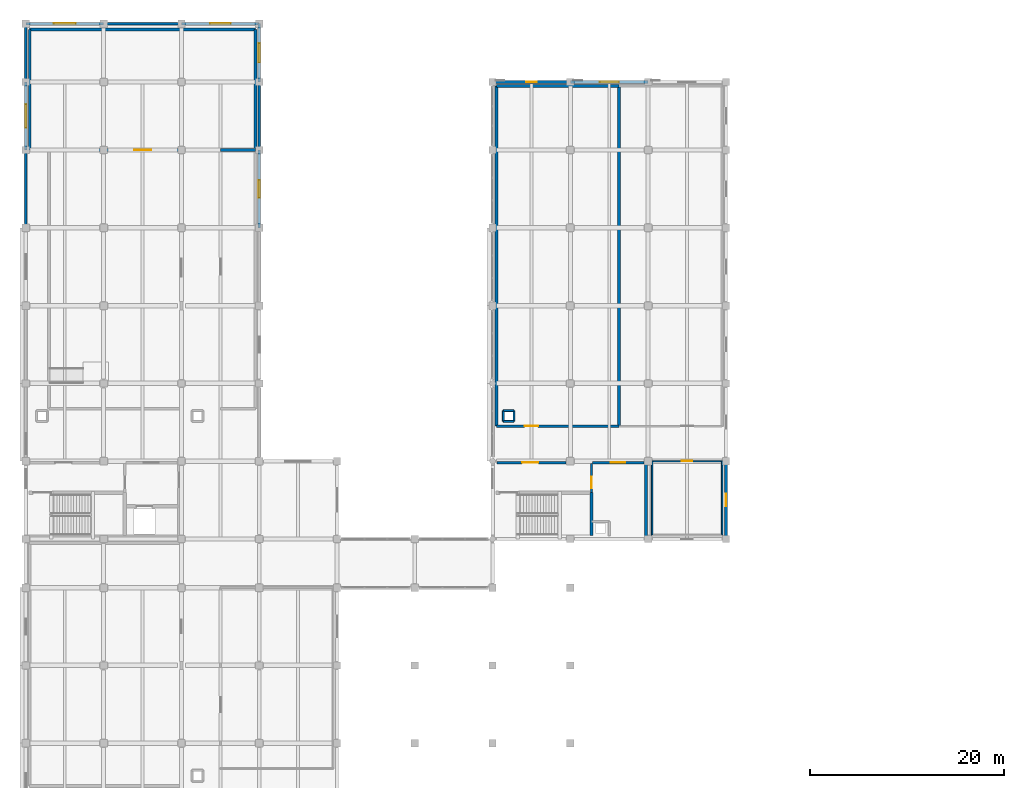
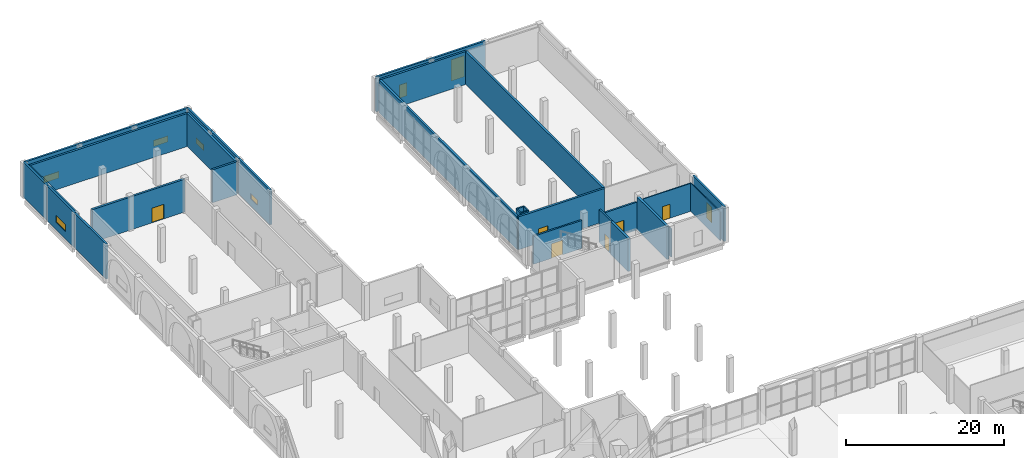
# One storey, part 22 of 40: 33 walls, 8 windows, 6 doors, 14 openings.
"""IFC4 building model written with IfcOpenShell, lengths in metres."""

from ifc_helpers import new_model, si_unit, direction, frame, frame_2d, origin, place, context, subcontext, project, spatial, rectangle, extrude, material, layer, layer_set, type_object, element, fill, save


model = new_model("IFC4")

# Units and contexts
model_context = context("Model", 3, precision=1e-05, world=origin(), true_north=direction((0.0, 1.0)))
body_context = subcontext(model_context, "Body", "Model", "MODEL_VIEW")
ifc_project = project(units=[si_unit("LENGTHUNIT", "METRE"), si_unit("AREAUNIT", "SQUARE_METRE"), si_unit("VOLUMEUNIT", "CUBIC_METRE"), si_unit("PLANEANGLEUNIT", "RADIAN"), si_unit("MASSUNIT", "GRAM", prefix="KILO")], contexts=[model_context])

# Site, building, storey
site_placement = place(None, origin())
site = spatial("IfcSite", under=ifc_project, at=site_placement, CompositionType="ELEMENT")
building_placement = place(site_placement, origin())
building = spatial("IfcBuilding", under=site, at=building_placement, Name="Qorikala Patio Media Centre", CompositionType="ELEMENT")
storey_placement = place(building_placement, origin())
storey = spatial("IfcBuildingStorey", under=building, at=storey_placement, Name="L00", CompositionType="ELEMENT", Elevation=0.0)

# Wall, opening, door
ifc_material_1 = material(Name="Concrete C35/45", Category="concrete")
ifc_layer_1 = layer(ifc_material_1, 0.300048828125)
ifc_layer_set_1 = layer_set([ifc_layer_1], Name="Concrete C35/45")
wall_type_1 = type_object("IfcWallType", Name="WL-AC-300", PredefinedType="SHEAR", material=ifc_layer_set_1)
wall_1_placement = place(storey_placement, frame((5.39990234375, 104.0, 0.0), z_axis=(0.0, 0.0, 1.0), x_axis=(1.0, 0.0, 0.0)))
wall_1 = element("IfcWall", 1, at=wall_1_placement, inside=storey, type_object=wall_type_1, Name="L00 Interior Wall WINT-L00-BST1-N", PredefinedType="SHEAR", context=body_context, shape_type="SweptSolid", body=[
    extrude(rectangle(XDim=13.60009765625, YDim=0.300048828125, at=frame_2d((6.800048828125, 0.0))), origin(), (0.0, 0.0, 1.0), 5.10009765625),
])
opening_1_placement = place(wall_1_placement, frame((8.72509765625, 0.0, 0.0)))
opening_1 = element("IfcOpeningElement", 2, at=opening_1_placement, cuts=wall_1, Name="Opening D244", PredefinedType="OPENING", context=body_context, shape_type="SweptSolid", body=[
    extrude(rectangle(XDim=1.75, YDim=2.280029296875, at=frame_2d((0.875, 1.14013671875))), frame((0.0, 0.159912109375, 0.0), z_axis=(0.0, -1.0, 0.0), x_axis=(1.0, 0.0, 0.0)), (0.0, 0.0, 1.0), 0.320068359375),
])
ifc_material_2 = material(Name="Powder-Coated Acoustic Fire Steel", Category="steel")
door_type_1 = type_object("IfcDoorType", Name="DR-FD60-175X228", OperationType="DOUBLE_DOOR_SINGLE_SWING", PredefinedType="DOOR", material=ifc_material_2)
door_1_placement = place(opening_1_placement, origin())
door_1 = element("IfcDoor", 3, at=door_1_placement, inside=storey, type_object=door_type_1, Name="Broadcast Scene Dock Door 033", OperationType="DOUBLE_DOOR_SINGLE_SWING", OverallHeight=2.280029296875, OverallWidth=1.75, PredefinedType="DOOR", context=body_context, shape_type="SweptSolid", body=[
    extrude(rectangle(XDim=1.75, YDim=2.280029296875, at=frame_2d((0.875, 1.14013671875))), frame((0.0, 0.02490234375, 0.0), z_axis=(0.0, -1.0, 0.0), x_axis=(1.0, 0.0, 0.0)), (0.0, 0.0, 1.0), 0.050048828125),
])
fill(opening_1, door_1)

# Walls
wall_2_placement = place(storey_placement, frame((26.60009765625, 104.0, 0.0), z_axis=(0.0, 0.0, 1.0), x_axis=(0.0, 1.0, 0.0)))
element("IfcWall", 4, at=wall_2_placement, inside=storey, type_object=wall_type_1, Name="L00 Interior Wall WINT-L00-SDCK-E", PredefinedType="SHEAR", context=body_context, shape_type="SweptSolid", body=[
    extrude(rectangle(XDim=12.39990234375, YDim=0.300048828125, at=frame_2d((6.199951171875, 0.0))), origin(), (0.0, 0.0, 1.0), 5.10009765625),
])
wall_3_placement = place(storey_placement, frame((3.39990234375, 116.39990234375, 0.0), z_axis=(0.0, 0.0, 1.0), x_axis=(1.0, 0.0, 0.0)))
element("IfcWall", 5, at=wall_3_placement, inside=storey, type_object=wall_type_1, Name="L00 Interior Wall WINT-L00-SDCK-N", PredefinedType="SHEAR", context=body_context, shape_type="SweptSolid", body=[
    extrude(rectangle(XDim=23.2001953125, YDim=0.300048828125, at=frame_2d((11.60009765625, 0.0))), origin(), (0.0, 0.0, 1.0), 5.10009765625),
])
wall_4_placement = place(storey_placement, frame((3.39990234375, 104.0, 0.0), z_axis=(0.0, 0.0, 1.0), x_axis=(0.0, 1.0, 0.0)))
element("IfcWall", 6, at=wall_4_placement, inside=storey, type_object=wall_type_1, Name="L00 Interior Wall WINT-L00-SDCK-W", PredefinedType="SHEAR", context=body_context, shape_type="SweptSolid", body=[
    extrude(rectangle(XDim=12.39990234375, YDim=0.300048828125, at=frame_2d((6.199951171875, 0.0))), origin(), (0.0, 0.0, 1.0), 5.10009765625),
])
wall_5_placement = place(storey_placement, frame((23.0, 104.0, 0.0), z_axis=(0.0, 0.0, 1.0), x_axis=(1.0, 0.0, 0.0)))
element("IfcWall", 7, at=wall_5_placement, inside=storey, type_object=wall_type_1, Name="L00 Interior Wall WINT-L00-MCR1-N", PredefinedType="SHEAR", context=body_context, shape_type="SweptSolid", body=[
    extrude(rectangle(XDim=3.60009765625, YDim=0.300048828125, at=frame_2d((1.800048828125, 0.0))), origin(), (0.0, 0.0, 1.0), 5.10009765625),
])

# Wall, opening, door
wall_6_placement = place(storey_placement, frame((51.39990234375, 75.60009765625, 0.0), z_axis=(0.0, 0.0, 1.0), x_axis=(1.0, 0.0, 0.0)))
wall_6 = element("IfcWall", 8, at=wall_6_placement, inside=storey, type_object=wall_type_1, Name="L00 Interior Wall WINT-L00-REC1-S", PredefinedType="SHEAR", context=body_context, shape_type="SweptSolid", body=[
    extrude(rectangle(XDim=12.60009765625, YDim=0.300048828125, at=frame_2d((6.300048828125, 0.0))), origin(), (0.0, 0.0, 1.0), 5.10009765625),
])
opening_2_placement = place(wall_6_placement, frame((2.885986328125, 0.0, 0.0)))
opening_2 = element("IfcOpeningElement", 9, at=opening_2_placement, cuts=wall_6, Name="Opening D247", PredefinedType="OPENING", context=body_context, shape_type="SweptSolid", body=[
    extrude(rectangle(XDim=1.39990234375, YDim=2.219970703125, at=frame_2d((0.699951171875, 1.10986328125))), frame((0.0, 0.159912109375, 0.0), z_axis=(0.0, -1.0, 0.0), x_axis=(1.0, 0.0, 0.0)), (0.0, 0.0, 1.0), 0.320068359375),
])
door_type_2 = type_object("IfcDoorType", Name="DR-FD60-140X222", OperationType="DOUBLE_DOOR_SINGLE_SWING", PredefinedType="DOOR", material=ifc_material_2)
door_2_placement = place(opening_2_placement, origin())
door_2 = element("IfcDoor", 10, at=door_2_placement, inside=storey, type_object=door_type_2, Name="Voiceover and Ensemble Recording Studio 1 Door 036", OperationType="DOUBLE_DOOR_SINGLE_SWING", OverallHeight=2.219970703125, OverallWidth=1.39990234375, PredefinedType="DOOR", context=body_context, shape_type="SweptSolid", body=[
    extrude(rectangle(XDim=1.39990234375, YDim=2.219970703125, at=frame_2d((0.699951171875, 1.10986328125))), frame((0.0, 0.02490234375, 0.0), z_axis=(0.0, -1.0, 0.0), x_axis=(1.0, 0.0, 0.0)), (0.0, 0.0, 1.0), 0.050048828125),
])
fill(opening_2, door_2)

# Walls
wall_7_placement = place(storey_placement, frame((64.0, 75.60009765625, 0.0), z_axis=(0.0, 0.0, 1.0), x_axis=(0.0, 1.0, 0.0)))
element("IfcWall", 11, at=wall_7_placement, inside=storey, type_object=wall_type_1, Name="L00 Interior Wall WINT-L00-REC1-E", PredefinedType="SHEAR", context=body_context, shape_type="SweptSolid", body=[
    extrude(rectangle(XDim=35.0, YDim=0.300048828125, at=frame_2d((17.5, 0.0))), origin(), (0.0, 0.0, 1.0), 5.10009765625),
])
wall_8_placement = place(storey_placement, frame((51.39990234375, 110.60009765625, 0.0), z_axis=(0.0, 0.0, 1.0), x_axis=(1.0, 0.0, 0.0)))
element("IfcWall", 12, at=wall_8_placement, inside=storey, type_object=wall_type_1, Name="L00 Interior Wall WINT-L00-REC1-N", PredefinedType="SHEAR", context=body_context, shape_type="SweptSolid", body=[
    extrude(rectangle(XDim=12.60009765625, YDim=0.300048828125, at=frame_2d((6.300048828125, 0.0))), origin(), (0.0, 0.0, 1.0), 5.10009765625),
])
wall_9_placement = place(storey_placement, frame((51.39990234375, 75.60009765625, 0.0), z_axis=(0.0, 0.0, 1.0), x_axis=(0.0, 1.0, 0.0)))
element("IfcWall", 13, at=wall_9_placement, inside=storey, type_object=wall_type_1, Name="L00 Interior Wall WINT-L00-REC1-W", PredefinedType="SHEAR", context=body_context, shape_type="SweptSolid", body=[
    extrude(rectangle(XDim=35.0, YDim=0.300048828125, at=frame_2d((17.5, 0.0))), origin(), (0.0, 0.0, 1.0), 5.10009765625),
])
ifc_layer_2 = layer(ifc_material_1, 0.35009765625)
ifc_layer_set_2 = layer_set([ifc_layer_2], Name="Concrete C35/45")
wall_type_2 = type_object("IfcWallType", Name="WL-CORE-350", PredefinedType="SHEAR", material=ifc_layer_set_2)
wall_10_placement = place(storey_placement, frame((61.175048828125, 64.35009765625, 0.0), z_axis=(0.0, 0.0, 1.0), x_axis=(0.0, 1.0, 0.0)))
element("IfcWall", 14, at=wall_10_placement, inside=storey, type_object=wall_type_2, Name="L00 Interior Wall CW-L00-C6-SE", PredefinedType="SHEAR", context=body_context, shape_type="SweptSolid", body=[
    extrude(rectangle(XDim=4.4248046875, YDim=0.35009765625, at=frame_2d((2.21240234375, 0.0))), origin(), (0.0, 0.0, 1.0), 5.10009765625),
])
wall_11_placement = place(storey_placement, frame((66.77490234375, 64.199951171875, 0.0), z_axis=(0.0, 0.0, 1.0), x_axis=(0.0, 1.0, 0.0)))
element("IfcWall", 15, at=wall_11_placement, inside=storey, type_object=wall_type_2, Name="L00 Interior Wall CW-L00-C6-EE", PredefinedType="SHEAR", context=body_context, shape_type="SweptSolid", body=[
    extrude(rectangle(XDim=7.60009765625, YDim=0.35009765625, at=frame_2d((3.800048828125, 0.0))), origin(), (0.0, 0.0, 1.0), 5.10009765625),
])

# Wall, opening, door
ifc_layer_3 = layer(ifc_material_1, 0.25)
ifc_layer_set_3 = layer_set([ifc_layer_3], Name="Concrete C35/45")
wall_type_3 = type_object("IfcWallType", Name="WL-FFL-250", PredefinedType="PARTITIONING", material=ifc_layer_set_3)
wall_12_placement = place(storey_placement, frame((61.175048828125, 68.77490234375, 0.0), z_axis=(0.0, 0.0, 1.0), x_axis=(0.0, 1.0, 0.0)))
wall_12 = element("IfcWall", 16, at=wall_12_placement, inside=storey, type_object=wall_type_3, Name="L00 Interior Wall CW-L00-C6-LBD", PredefinedType="PARTITIONING", context=body_context, shape_type="SweptSolid", body=[
    extrude(rectangle(XDim=2.97509765625, YDim=0.25, at=frame_2d((1.487548828125, 0.0))), origin(), (0.0, 0.0, 1.0), 5.10009765625),
])
opening_3_placement = place(wall_12_placement, frame((0.449951171875, 0.0, 0.0)))
opening_3 = element("IfcOpeningElement", 17, at=opening_3_placement, cuts=wall_12, Name="Opening D181", PredefinedType="OPENING", context=body_context, shape_type="SweptSolid", body=[
    extrude(rectangle(XDim=1.199951171875, YDim=2.199951171875, at=frame_2d((0.60009765625, 1.10009765625))), frame((0.0, 0.135009765625, 0.0), z_axis=(0.0, -1.0, 0.0), x_axis=(1.0, 0.0, 0.0)), (0.0, 0.0, 1.0), 0.27001953125),
])
ifc_material_3 = material(Name="Acoustic Fire Timber and Steel", Category="steel")
door_type_3 = type_object("IfcDoorType", Name="DR-FD60-120X220", OperationType="NOTDEFINED", PredefinedType="DOOR", material=ifc_material_3)
door_3_placement = place(opening_3_placement, origin())
door_3 = element("IfcDoor", 18, at=door_3_placement, inside=storey, type_object=door_type_3, Name="L00 Core C6 Firefighting Lobby Cross Door", OperationType="SINGLE_SWING_RIGHT", OverallHeight=2.199951171875, OverallWidth=1.199951171875, PredefinedType="DOOR", context=body_context, shape_type="SweptSolid", body=[
    extrude(rectangle(XDim=1.199951171875, YDim=2.199951171875, at=frame_2d((0.60009765625, 1.10009765625))), frame((0.0, 0.02490234375, 0.0), z_axis=(0.0, -1.0, 0.0), x_axis=(1.0, 0.0, 0.0)), (0.0, 0.0, 1.0), 0.050048828125),
])
fill(opening_3, door_3)

wall_13_placement = place(storey_placement, frame((51.449951171875, 71.85009765625, 0.0), z_axis=(0.0, 0.0, 1.0), x_axis=(1.0, 0.0, 0.0)))
wall_13 = element("IfcWall", 19, at=wall_13_placement, inside=storey, type_object=wall_type_3, Name="L00 Interior Wall CW-L00-C6-CN1", PredefinedType="PARTITIONING", context=body_context, shape_type="SweptSolid", body=[
    extrude(rectangle(XDim=7.10009765625, YDim=0.25, at=frame_2d((3.550048828125, 0.0))), origin(), (0.0, 0.0, 1.0), 4.3349609375),
])
opening_4_placement = place(wall_13_placement, frame((2.60009765625, 0.0, 0.0)))
opening_4 = element("IfcOpeningElement", 20, at=opening_4_placement, cuts=wall_13, Name="Opening D182", PredefinedType="OPENING", context=body_context, shape_type="SweptSolid", body=[
    extrude(rectangle(XDim=1.64990234375, YDim=2.25, at=frame_2d((0.824951171875, 1.125))), frame((0.0, 0.135009765625, 0.0), z_axis=(0.0, -1.0, 0.0), x_axis=(1.0, 0.0, 0.0)), (0.0, 0.0, 1.0), 0.27001953125),
])
door_type_4 = type_object("IfcDoorType", Name="DR-FD60-165X225", OperationType="DOUBLE_DOOR_SINGLE_SWING", PredefinedType="DOOR", material=ifc_material_2)
door_4_placement = place(opening_4_placement, frame((1.64990234375, 0.0, 0.0), z_axis=(0.0, 0.0, 1.0), x_axis=(-1.0, 0.0, 0.0)))
door_4 = element("IfcDoor", 21, at=door_4_placement, inside=storey, type_object=door_type_4, Name="L00 Core C6 Vestibule Door", OperationType="DOUBLE_DOOR_SINGLE_SWING", OverallHeight=2.25, OverallWidth=1.64990234375, PredefinedType="DOOR", context=body_context, shape_type="SweptSolid", body=[
    extrude(rectangle(XDim=1.64990234375, YDim=2.25, at=frame_2d((0.824951171875, 1.125))), frame((0.0, 0.02490234375, 0.0), z_axis=(0.0, -1.0, 0.0), x_axis=(1.0, 0.0, 0.0)), (0.0, 0.0, 1.0), 0.050048828125),
])
fill(opening_4, door_4)

wall_14_placement = place(storey_placement, frame((61.300048828125, 71.85009765625, 0.0), z_axis=(0.0, 0.0, 1.0), x_axis=(1.0, 0.0, 0.0)))
wall_14 = element("IfcWall", 22, at=wall_14_placement, inside=storey, type_object=wall_type_3, Name="L00 Interior Wall CW-L00-C6-CN2", PredefinedType="PARTITIONING", context=body_context, shape_type="SweptSolid", body=[
    extrude(rectangle(XDim=5.25, YDim=0.25, at=frame_2d((2.625, 0.0))), origin(), (0.0, 0.0, 1.0), 4.3349609375),
])
opening_5_placement = place(wall_14_placement, frame((1.85009765625, 0.0, 0.0)))
opening_5 = element("IfcOpeningElement", 23, at=opening_5_placement, cuts=wall_14, Name="Opening D183", PredefinedType="OPENING", context=body_context, shape_type="SweptSolid", body=[
    extrude(rectangle(XDim=1.5, YDim=2.199951171875, at=frame_2d((0.75, 1.10009765625))), frame((0.0, 0.135009765625, 0.0), z_axis=(0.0, -1.0, 0.0), x_axis=(1.0, 0.0, 0.0)), (0.0, 0.0, 1.0), 0.27001953125),
])
door_type_5 = type_object("IfcDoorType", Name="DR-FD60-150X220", OperationType="DOUBLE_DOOR_SINGLE_SWING", PredefinedType="DOOR", material=ifc_material_2)
door_5_placement = place(opening_5_placement, origin())
door_5 = element("IfcDoor", 24, at=door_5_placement, inside=storey, type_object=door_type_5, Name="L00 Core C6 Firefighting Lobby Door", OperationType="DOUBLE_DOOR_SINGLE_SWING", OverallHeight=2.199951171875, OverallWidth=1.5, PredefinedType="DOOR", context=body_context, shape_type="SweptSolid", body=[
    extrude(rectangle(XDim=1.5, YDim=2.199951171875, at=frame_2d((0.75, 1.10009765625))), frame((0.0, 0.02490234375, 0.0), z_axis=(0.0, -1.0, 0.0), x_axis=(1.0, 0.0, 0.0)), (0.0, 0.0, 1.0), 0.050048828125),
])
fill(opening_5, door_5)

# Wall
ifc_material_4 = material(Name="Warm Ochre Lime Stucco and Concrete C35/45", Category="concrete")
ifc_layer_4 = layer(ifc_material_4, 0.280029296875)
ifc_layer_set_4 = layer_set([ifc_layer_4], Name="Warm Ochre Lime Stucco and Concrete C35/45")
wall_type_4 = type_object("IfcWallType", Name="WL-OCHRE-280", PredefinedType="SOLIDWALL", material=ifc_layer_set_4)
wall_15_placement = place(storey_placement, frame((3.0, 96.0, 0.0), z_axis=(0.0, 0.0, 1.0), x_axis=(0.0, 1.0, 0.0)))
element("IfcWall", 25, at=wall_15_placement, inside=storey, type_object=wall_type_4, Name="L00 Exterior Wall WL-L00-EXT-0058", PredefinedType="SOLIDWALL", context=body_context, shape_type="SweptSolid", body=[
    extrude(rectangle(XDim=8.0, YDim=0.280029296875, at=frame_2d((4.0, 0.0))), origin(), (0.0, 0.0, 1.0), 5.39990234375),
])

# Wall, opening, window
wall_16_placement = place(storey_placement, frame((3.0, 104.0, 0.0), z_axis=(0.0, 0.0, 1.0), x_axis=(0.0, 1.0, 0.0)))
wall_16 = element("IfcWall", 26, at=wall_16_placement, inside=storey, type_object=wall_type_4, Name="L00 Exterior Wall WL-L00-EXT-0059", PredefinedType="SOLIDWALL", context=body_context, shape_type="SweptSolid", body=[
    extrude(rectangle(XDim=7.0, YDim=0.280029296875, at=frame_2d((3.5, 0.0))), origin(), (0.0, 0.0, 1.0), 5.39990234375),
])
opening_6_placement = place(wall_16_placement, frame((2.300048828125, 0.0, 1.10009765625)))
opening_6 = element("IfcOpeningElement", 27, at=opening_6_placement, cuts=wall_16, Name="Opening WL-240", PredefinedType="OPENING", context=body_context, shape_type="SweptSolid", body=[
    extrude(rectangle(XDim=2.39990234375, YDim=1.10009765625, at=frame_2d((1.199951171875, 0.550048828125))), frame((0.0, 0.14990234375, 0.0), z_axis=(0.0, -1.0, 0.0), x_axis=(1.0, 0.0, 0.0)), (0.0, 0.0, 1.0), 0.300048828125),
])
ifc_material_5 = material(Name="Acoustic Laminated Low-E Glass", Category="glass")
window_type_1 = type_object("IfcWindowType", Name="WN-CL-240X110", PartitioningType="SINGLE_PANEL", PredefinedType="WINDOW", material=ifc_material_5)
window_1_placement = place(opening_6_placement, origin())
window_1 = element("IfcWindow", 28, at=window_1_placement, inside=storey, type_object=window_type_1, Name="L00 High Acoustic Clerestory Window 0044", OverallHeight=1.10009765625, OverallWidth=2.39990234375, PartitioningType="SINGLE_PANEL", PredefinedType="WINDOW", context=body_context, shape_type="SweptSolid", body=[
    extrude(rectangle(XDim=2.39990234375, YDim=1.10009765625, at=frame_2d((1.199951171875, 0.550048828125))), frame((0.0, 0.030029296875, 0.0), z_axis=(0.0, -1.0, 0.0), x_axis=(1.0, 0.0, 0.0)), (0.0, 0.0, 1.0), 0.06005859375),
])
fill(opening_6, window_1)

# Wall
wall_17_placement = place(storey_placement, frame((3.0, 111.0, 0.0), z_axis=(0.0, 0.0, 1.0), x_axis=(0.0, 1.0, 0.0)))
element("IfcWall", 29, at=wall_17_placement, inside=storey, type_object=wall_type_4, Name="L00 Exterior Wall WL-L00-EXT-0060", PredefinedType="SOLIDWALL", context=body_context, shape_type="SweptSolid", body=[
    extrude(rectangle(XDim=6.0, YDim=0.280029296875, at=frame_2d((3.0, 0.0))), origin(), (0.0, 0.0, 1.0), 5.39990234375),
])

# Wall, opening, window
wall_18_placement = place(storey_placement, frame((3.0, 117.0, 0.0), z_axis=(0.0, 0.0, 1.0), x_axis=(1.0, 0.0, 0.0)))
wall_18 = element("IfcWall", 30, at=wall_18_placement, inside=storey, type_object=wall_type_4, Name="L00 Exterior Wall WL-L00-EXT-0061", PredefinedType="SOLIDWALL", context=body_context, shape_type="SweptSolid", body=[
    extrude(rectangle(XDim=8.0, YDim=0.280029296875, at=frame_2d((4.0, 0.0))), origin(), (0.0, 0.0, 1.0), 5.39990234375),
])
opening_7_placement = place(wall_18_placement, frame((2.875, 0.0, 1.10009765625)))
opening_7 = element("IfcOpeningElement", 31, at=opening_7_placement, cuts=wall_18, Name="Opening WL-225", PredefinedType="OPENING", context=body_context, shape_type="SweptSolid", body=[
    extrude(rectangle(XDim=2.25, YDim=1.02001953125, at=frame_2d((1.125, 0.510009765625))), frame((0.0, 0.14990234375, 0.0), z_axis=(0.0, -1.0, 0.0), x_axis=(1.0, 0.0, 0.0)), (0.0, 0.0, 1.0), 0.300048828125),
])
window_type_2 = type_object("IfcWindowType", Name="WN-CL-225X102", PartitioningType="SINGLE_PANEL", PredefinedType="WINDOW", material=ifc_material_5)
window_2_placement = place(opening_7_placement, origin())
window_2 = element("IfcWindow", 32, at=window_2_placement, inside=storey, type_object=window_type_2, Name="L00 High Acoustic Clerestory Window 0045", OverallHeight=1.02001953125, OverallWidth=2.25, PartitioningType="SINGLE_PANEL", PredefinedType="WINDOW", context=body_context, shape_type="SweptSolid", body=[
    extrude(rectangle(XDim=2.25, YDim=1.02001953125, at=frame_2d((1.125, 0.510009765625))), frame((0.0, 0.030029296875, 0.0), z_axis=(0.0, -1.0, 0.0), x_axis=(1.0, 0.0, 0.0)), (0.0, 0.0, 1.0), 0.06005859375),
])
fill(opening_7, window_2)

# Wall
wall_19_placement = place(storey_placement, frame((11.0, 117.0, 0.0), z_axis=(0.0, 0.0, 1.0), x_axis=(1.0, 0.0, 0.0)))
element("IfcWall", 33, at=wall_19_placement, inside=storey, type_object=wall_type_4, Name="L00 Exterior Wall WL-L00-EXT-0062", PredefinedType="SOLIDWALL", context=body_context, shape_type="SweptSolid", body=[
    extrude(rectangle(XDim=8.0, YDim=0.280029296875, at=frame_2d((4.0, 0.0))), origin(), (0.0, 0.0, 1.0), 5.39990234375),
])

# Wall, opening, window
wall_20_placement = place(storey_placement, frame((19.0, 117.0, 0.0), z_axis=(0.0, 0.0, 1.0), x_axis=(1.0, 0.0, 0.0)))
wall_20 = element("IfcWall", 34, at=wall_20_placement, inside=storey, type_object=wall_type_4, Name="L00 Exterior Wall WL-L00-EXT-0063", PredefinedType="SOLIDWALL", context=body_context, shape_type="SweptSolid", body=[
    extrude(rectangle(XDim=8.0, YDim=0.280029296875, at=frame_2d((4.0, 0.0))), origin(), (0.0, 0.0, 1.0), 5.39990234375),
])
opening_8_placement = place(wall_20_placement, frame((2.949951171875, 0.0, 1.10009765625)))
opening_8 = element("IfcOpeningElement", 35, at=opening_8_placement, cuts=wall_20, Name="Opening WL-210", PredefinedType="OPENING", context=body_context, shape_type="SweptSolid", body=[
    extrude(rectangle(XDim=2.10009765625, YDim=0.949951171875, at=frame_2d((1.050048828125, 0.47509765625))), frame((0.0, 0.14990234375, 0.0), z_axis=(0.0, -1.0, 0.0), x_axis=(1.0, 0.0, 0.0)), (0.0, 0.0, 1.0), 0.300048828125),
])
window_type_3 = type_object("IfcWindowType", Name="WN-CL-210X095", PartitioningType="SINGLE_PANEL", PredefinedType="WINDOW", material=ifc_material_5)
window_3_placement = place(opening_8_placement, origin())
window_3 = element("IfcWindow", 36, at=window_3_placement, inside=storey, type_object=window_type_3, Name="L00 High Acoustic Clerestory Window 0046", OverallHeight=0.949951171875, OverallWidth=2.10009765625, PartitioningType="SINGLE_PANEL", PredefinedType="WINDOW", context=body_context, shape_type="SweptSolid", body=[
    extrude(rectangle(XDim=2.10009765625, YDim=0.949951171875, at=frame_2d((1.050048828125, 0.47509765625))), frame((0.0, 0.030029296875, 0.0), z_axis=(0.0, -1.0, 0.0), x_axis=(1.0, 0.0, 0.0)), (0.0, 0.0, 1.0), 0.06005859375),
])
fill(opening_8, window_3)

wall_21_placement = place(storey_placement, frame((27.0, 117.0, 0.0), z_axis=(0.0, 0.0, 1.0), x_axis=(0.0, -1.0, 0.0)))
wall_21 = element("IfcWall", 37, at=wall_21_placement, inside=storey, type_object=wall_type_4, Name="L00 Exterior Wall WL-L00-EXT-0064", PredefinedType="SOLIDWALL", context=body_context, shape_type="SweptSolid", body=[
    extrude(rectangle(XDim=6.0, YDim=0.280029296875, at=frame_2d((3.0, 0.0))), origin(), (0.0, 0.0, 1.0), 5.39990234375),
])
opening_9_placement = place(wall_21_placement, frame((2.02490234375, 0.0, 1.10009765625)))
opening_9 = element("IfcOpeningElement", 38, at=opening_9_placement, cuts=wall_21, Name="Opening WL-195", PredefinedType="OPENING", context=body_context, shape_type="SweptSolid", body=[
    extrude(rectangle(XDim=1.949951171875, YDim=0.89990234375, at=frame_2d((0.97509765625, 0.449951171875))), frame((0.0, 0.14990234375, 0.0), z_axis=(0.0, -1.0, 0.0), x_axis=(1.0, 0.0, 0.0)), (0.0, 0.0, 1.0), 0.300048828125),
])
window_type_4 = type_object("IfcWindowType", Name="WN-CL-195X090", PartitioningType="SINGLE_PANEL", PredefinedType="WINDOW", material=ifc_material_5)
window_4_placement = place(opening_9_placement, origin())
window_4 = element("IfcWindow", 39, at=window_4_placement, inside=storey, type_object=window_type_4, Name="L00 High Acoustic Clerestory Window 0047", OverallHeight=0.89990234375, OverallWidth=1.949951171875, PartitioningType="SINGLE_PANEL", PredefinedType="WINDOW", context=body_context, shape_type="SweptSolid", body=[
    extrude(rectangle(XDim=1.949951171875, YDim=0.89990234375, at=frame_2d((0.97509765625, 0.449951171875))), frame((0.0, 0.030029296875, 0.0), z_axis=(0.0, -1.0, 0.0), x_axis=(1.0, 0.0, 0.0)), (0.0, 0.0, 1.0), 0.06005859375),
])
fill(opening_9, window_4)

# Wall
wall_22_placement = place(storey_placement, frame((27.0, 111.0, 0.0), z_axis=(0.0, 0.0, 1.0), x_axis=(0.0, -1.0, 0.0)))
element("IfcWall", 40, at=wall_22_placement, inside=storey, type_object=wall_type_4, Name="L00 Exterior Wall WL-L00-EXT-0065", PredefinedType="SOLIDWALL", context=body_context, shape_type="SweptSolid", body=[
    extrude(rectangle(XDim=7.0, YDim=0.280029296875, at=frame_2d((3.5, 0.0))), origin(), (0.0, 0.0, 1.0), 5.39990234375),
])

# Wall, opening, window
wall_23_placement = place(storey_placement, frame((27.0, 104.0, 0.0), z_axis=(0.0, 0.0, 1.0), x_axis=(0.0, -1.0, 0.0)))
wall_23 = element("IfcWall", 41, at=wall_23_placement, inside=storey, type_object=wall_type_4, Name="L00 Exterior Wall WL-L00-EXT-0066", PredefinedType="SOLIDWALL", context=body_context, shape_type="SweptSolid", body=[
    extrude(rectangle(XDim=8.0, YDim=0.280029296875, at=frame_2d((4.0, 0.0))), origin(), (0.0, 0.0, 1.0), 5.39990234375),
])
opening_10_placement = place(wall_23_placement, frame((3.10009765625, 0.0, 1.10009765625)))
opening_10 = element("IfcOpeningElement", 42, at=opening_10_placement, cuts=wall_23, Name="Opening WL-180", PredefinedType="OPENING", context=body_context, shape_type="SweptSolid", body=[
    extrude(rectangle(XDim=1.800048828125, YDim=0.85009765625, at=frame_2d((0.89990234375, 0.425048828125))), frame((0.0, 0.14990234375, 0.0), z_axis=(0.0, -1.0, 0.0), x_axis=(1.0, 0.0, 0.0)), (0.0, 0.0, 1.0), 0.300048828125),
])
window_type_5 = type_object("IfcWindowType", Name="WN-CL-180X085", PartitioningType="SINGLE_PANEL", PredefinedType="WINDOW", material=ifc_material_5)
window_5_placement = place(opening_10_placement, origin())
window_5 = element("IfcWindow", 43, at=window_5_placement, inside=storey, type_object=window_type_5, Name="L00 High Acoustic Clerestory Window 0048", OverallHeight=0.85009765625, OverallWidth=1.800048828125, PartitioningType="SINGLE_PANEL", PredefinedType="WINDOW", context=body_context, shape_type="SweptSolid", body=[
    extrude(rectangle(XDim=1.800048828125, YDim=0.85009765625, at=frame_2d((0.89990234375, 0.425048828125))), frame((0.0, 0.030029296875, 0.0), z_axis=(0.0, -1.0, 0.0), x_axis=(1.0, 0.0, 0.0)), (0.0, 0.0, 1.0), 0.06005859375),
])
fill(opening_10, window_5)

wall_24_placement = place(storey_placement, frame((75.0, 72.0, 0.0), z_axis=(0.0, 0.0, 1.0), x_axis=(0.0, -1.0, 0.0)))
wall_24 = element("IfcWall", 44, at=wall_24_placement, inside=storey, type_object=wall_type_4, Name="L00 Exterior Wall WL-L00-EXT-0083", PredefinedType="SOLIDWALL", context=body_context, shape_type="SweptSolid", body=[
    extrude(rectangle(XDim=8.0, YDim=0.280029296875, at=frame_2d((4.0, 0.0))), origin(), (0.0, 0.0, 1.0), 5.39990234375),
])
opening_11_placement = place(wall_24_placement, frame((3.35009765625, 0.0, 0.85009765625)))
opening_11 = element("IfcOpeningElement", 45, at=opening_11_placement, cuts=wall_24, Name="Opening WC-130", PredefinedType="OPENING", context=body_context, shape_type="SweptSolid", body=[
    extrude(rectangle(XDim=1.300048828125, YDim=2.39990234375, at=frame_2d((0.64990234375, 1.199951171875))), frame((0.0, 0.14990234375, 0.0), z_axis=(0.0, -1.0, 0.0), x_axis=(1.0, 0.0, 0.0)), (0.0, 0.0, 1.0), 0.300048828125),
])
ifc_material_6 = material(Name="Bronze Anodised Aluminium and Low-E Glass", Category="aluminium")
window_type_6 = type_object("IfcWindowType", Name="WN-COL-130X240", PartitioningType="SINGLE_PANEL", PredefinedType="WINDOW", material=ifc_material_6)
window_6_placement = place(opening_11_placement, origin())
window_6 = element("IfcWindow", 46, at=window_6_placement, inside=storey, type_object=window_type_6, Name="L00 Colonial Tall Window 0058", OverallHeight=2.39990234375, OverallWidth=1.300048828125, PartitioningType="SINGLE_PANEL", PredefinedType="WINDOW", context=body_context, shape_type="SweptSolid", body=[
    extrude(rectangle(XDim=1.300048828125, YDim=2.39990234375, at=frame_2d((0.64990234375, 1.199951171875))), frame((0.0, 0.030029296875, 0.0), z_axis=(0.0, -1.0, 0.0), x_axis=(1.0, 0.0, 0.0)), (0.0, 0.0, 1.0), 0.06005859375),
])
fill(opening_11, window_6)

wall_25_placement = place(storey_placement, frame((51.0, 111.0, 0.0), z_axis=(0.0, 0.0, 1.0), x_axis=(1.0, 0.0, 0.0)))
wall_25 = element("IfcWall", 47, at=wall_25_placement, inside=storey, type_object=wall_type_4, Name="L00 Exterior Wall WL-L00-EXT-0088", PredefinedType="SOLIDWALL", context=body_context, shape_type="SweptSolid", body=[
    extrude(rectangle(XDim=8.0, YDim=0.280029296875, at=frame_2d((4.0, 0.0))), origin(), (0.0, 0.0, 1.0), 5.39990234375),
])
opening_12_placement = place(wall_25_placement, frame((3.43994140625, 0.0, 0.85009765625)))
opening_12 = element("IfcOpeningElement", 48, at=opening_12_placement, cuts=wall_25, Name="Opening WC-112", PredefinedType="OPENING", context=body_context, shape_type="SweptSolid", body=[
    extrude(rectangle(XDim=1.1201171875, YDim=2.050048828125, at=frame_2d((0.56005859375, 1.02490234375))), frame((0.0, 0.14990234375, 0.0), z_axis=(0.0, -1.0, 0.0), x_axis=(1.0, 0.0, 0.0)), (0.0, 0.0, 1.0), 0.300048828125),
])
window_type_7 = type_object("IfcWindowType", Name="WN-COL-112X205", PartitioningType="SINGLE_PANEL", PredefinedType="WINDOW", material=ifc_material_6)
window_7_placement = place(opening_12_placement, origin())
window_7 = element("IfcWindow", 49, at=window_7_placement, inside=storey, type_object=window_type_7, Name="L00 Colonial Tall Window 0060", OverallHeight=2.050048828125, OverallWidth=1.1201171875, PartitioningType="SINGLE_PANEL", PredefinedType="WINDOW", context=body_context, shape_type="SweptSolid", body=[
    extrude(rectangle(XDim=1.1201171875, YDim=2.050048828125, at=frame_2d((0.56005859375, 1.02490234375))), frame((0.0, 0.030029296875, 0.0), z_axis=(0.0, -1.0, 0.0), x_axis=(1.0, 0.0, 0.0)), (0.0, 0.0, 1.0), 0.06005859375),
])
fill(opening_12, window_7)

wall_26_placement = place(storey_placement, frame((59.0, 111.0, 0.0), z_axis=(0.0, 0.0, 1.0), x_axis=(1.0, 0.0, 0.0)))
wall_26 = element("IfcWall", 50, at=wall_26_placement, inside=storey, type_object=wall_type_4, Name="L00 Exterior Wall WL-L00-EXT-0089", PredefinedType="SOLIDWALL", context=body_context, shape_type="SweptSolid", body=[
    extrude(rectangle(XDim=8.0, YDim=0.280029296875, at=frame_2d((4.0, 0.0))), origin(), (0.0, 0.0, 1.0), 5.39990234375),
])
opening_13_placement = place(wall_26_placement, frame((3.02490234375, 0.0, 0.85009765625)))
opening_13 = element("IfcOpeningElement", 51, at=opening_13_placement, cuts=wall_26, Name="Opening WC-195", PredefinedType="OPENING", context=body_context, shape_type="SweptSolid", body=[
    extrude(rectangle(XDim=1.949951171875, YDim=3.300048828125, at=frame_2d((0.97509765625, 1.64990234375))), frame((0.0, 0.14990234375, 0.0), z_axis=(0.0, -1.0, 0.0), x_axis=(1.0, 0.0, 0.0)), (0.0, 0.0, 1.0), 0.300048828125),
])
window_type_8 = type_object("IfcWindowType", Name="WN-COL-195X330", PartitioningType="SINGLE_PANEL", PredefinedType="WINDOW", material=ifc_material_6)
window_8_placement = place(opening_13_placement, origin())
window_8 = element("IfcWindow", 52, at=window_8_placement, inside=storey, type_object=window_type_8, Name="L00 Colonial Tall Window 0061", OverallHeight=3.300048828125, OverallWidth=1.949951171875, PartitioningType="SINGLE_PANEL", PredefinedType="WINDOW", context=body_context, shape_type="SweptSolid", body=[
    extrude(rectangle(XDim=1.949951171875, YDim=3.300048828125, at=frame_2d((0.97509765625, 1.64990234375))), frame((0.0, 0.030029296875, 0.0), z_axis=(0.0, -1.0, 0.0), x_axis=(1.0, 0.0, 0.0)), (0.0, 0.0, 1.0), 0.06005859375),
])
fill(opening_13, window_8)

# Wall
ifc_material_7 = material(Name="Acoustic Gypsum Stud Partition")
ifc_layer_5 = layer(ifc_material_7, 0.14990234375)
ifc_layer_set_5 = layer_set([ifc_layer_5], Name="Acoustic Gypsum Stud Partition")
wall_type_5 = type_object("IfcWallType", Name="WL-PT-150", PredefinedType="PARTITIONING", material=ifc_layer_set_5)
wall_27_placement = place(storey_placement, frame((74.60009765625, 64.39990234375, 0.0), z_axis=(0.0, 0.0, 1.0), x_axis=(0.0, 1.0, 0.0)))
element("IfcWall", 53, at=wall_27_placement, inside=storey, type_object=wall_type_5, Name="L00 Interior Wall WINT-L00-GRN1-E", PredefinedType="PARTITIONING", context=body_context, shape_type="SweptSolid", body=[
    extrude(rectangle(XDim=7.60009765625, YDim=0.14990234375, at=frame_2d((3.800048828125, 0.0))), origin(), (0.0, 0.0, 1.0), 4.405029296875),
])

# Wall, opening, door
wall_28_placement = place(storey_placement, frame((67.39990234375, 72.0, 0.0), z_axis=(0.0, 0.0, 1.0), x_axis=(1.0, 0.0, 0.0)))
wall_28 = element("IfcWall", 54, at=wall_28_placement, inside=storey, type_object=wall_type_5, Name="L00 Interior Wall WINT-L00-GRN1-N", PredefinedType="PARTITIONING", context=body_context, shape_type="SweptSolid", body=[
    extrude(rectangle(XDim=7.2001953125, YDim=0.14990234375, at=frame_2d((3.60009765625, 0.0))), origin(), (0.0, 0.0, 1.0), 4.3349609375),
])
opening_14_placement = place(wall_28_placement, frame((3.050048828125, 0.0, 0.0)))
opening_14 = element("IfcOpeningElement", 55, at=opening_14_placement, cuts=wall_28, Name="Opening D246", PredefinedType="OPENING", context=body_context, shape_type="SweptSolid", body=[
    extrude(rectangle(XDim=1.10009765625, YDim=2.159912109375, at=frame_2d((0.550048828125, 1.080078125))), frame((0.0, 0.0849609375, 0.0), z_axis=(0.0, -1.0, 0.0), x_axis=(1.0, 0.0, 0.0)), (0.0, 0.0, 1.0), 0.169921875),
])
ifc_material_8 = material(Name="Solid Oak Timber", Category="wood")
door_type_6 = type_object("IfcDoorType", Name="DR-IN-110X216", OperationType="NOTDEFINED", PredefinedType="DOOR", material=ifc_material_8)
door_6_placement = place(opening_14_placement, origin())
door_6 = element("IfcDoor", 56, at=door_6_placement, inside=storey, type_object=door_type_6, Name="Artist Green Room and Dressing Suite Door 035", OperationType="SINGLE_SWING_RIGHT", OverallHeight=2.159912109375, OverallWidth=1.10009765625, PredefinedType="DOOR", context=body_context, shape_type="SweptSolid", body=[
    extrude(rectangle(XDim=1.10009765625, YDim=2.159912109375, at=frame_2d((0.550048828125, 1.080078125))), frame((0.0, 0.02490234375, 0.0), z_axis=(0.0, -1.0, 0.0), x_axis=(1.0, 0.0, 0.0)), (0.0, 0.0, 1.0), 0.050048828125),
])
fill(opening_14, door_6)

# Walls
wall_29_placement = place(storey_placement, frame((67.39990234375, 64.39990234375, 0.0), z_axis=(0.0, 0.0, 1.0), x_axis=(0.0, 1.0, 0.0)))
element("IfcWall", 57, at=wall_29_placement, inside=storey, type_object=wall_type_5, Name="L00 Interior Wall WINT-L00-GRN1-W", PredefinedType="PARTITIONING", context=body_context, shape_type="SweptSolid", body=[
    extrude(rectangle(XDim=7.60009765625, YDim=0.14990234375, at=frame_2d((3.800048828125, 0.0))), origin(), (0.0, 0.0, 1.0), 4.385009765625),
])
ifc_material_9 = material(Name="Acoustic Masonry and Plaster Concrete C30/37", Category="masonry")
ifc_layer_6 = layer(ifc_material_9, 0.199951171875)
ifc_layer_set_6 = layer_set([ifc_layer_6], Name="Acoustic Masonry and Plaster Concrete C30/37")
wall_type_6 = type_object("IfcWallType", Name="WL-ST-200", PredefinedType="PARTITIONING", material=ifc_layer_set_6)
for number, where, z_axis, x_axis, name in (
    (58, (52.10009765625, 76.10009765625, 0.0), (0.0, 0.0, 1.0), (1.0, 0.0, 0.0), "L00 Interior Wall RSW-7-L00-S"),
    (59, (52.10009765625, 77.199951171875, 0.0), (0.0, 0.0, 1.0), (1.0, 0.0, 0.0), "L00 Interior Wall RSW-7-L00-N"),
    (60, (52.10009765625, 76.10009765625, 0.0), (0.0, 0.0, 1.0), (0.0, 1.0, 0.0), "L00 Interior Wall RSW-7-L00-W"),
    (61, (53.199951171875, 76.10009765625, 0.0), (0.0, 0.0, 1.0), (0.0, 1.0, 0.0), "L00 Interior Wall RSW-7-L00-E"),
):
    element("IfcWall", number, at=place(storey_placement, frame(where, z_axis=z_axis, x_axis=x_axis)), inside=storey, type_object=wall_type_6, Name=name, PredefinedType="PARTITIONING", context=body_context, shape_type="SweptSolid", body=[
        extrude(rectangle(XDim=1.099853515625, YDim=0.199951171875, at=frame_2d((0.5498046875, 0.0))), origin(), (0.0, 0.0, 1.0), 5.10009765625),
    ])

save(model, "model.ifc")
